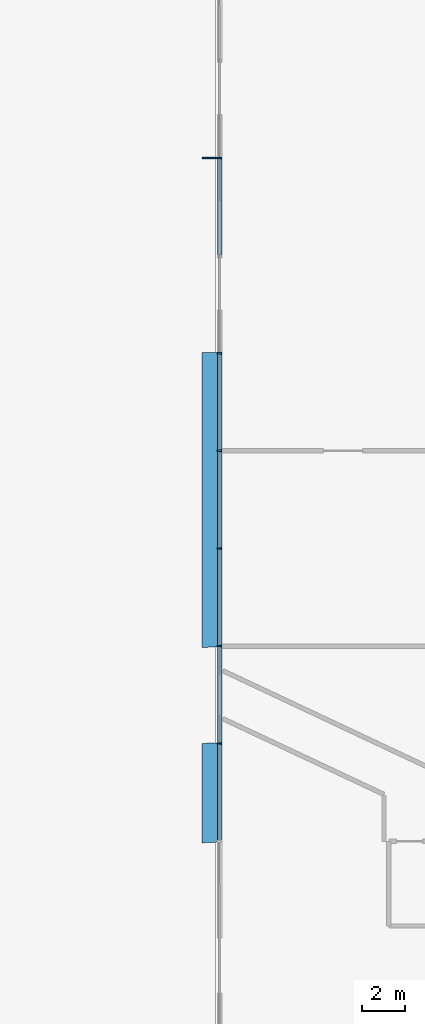
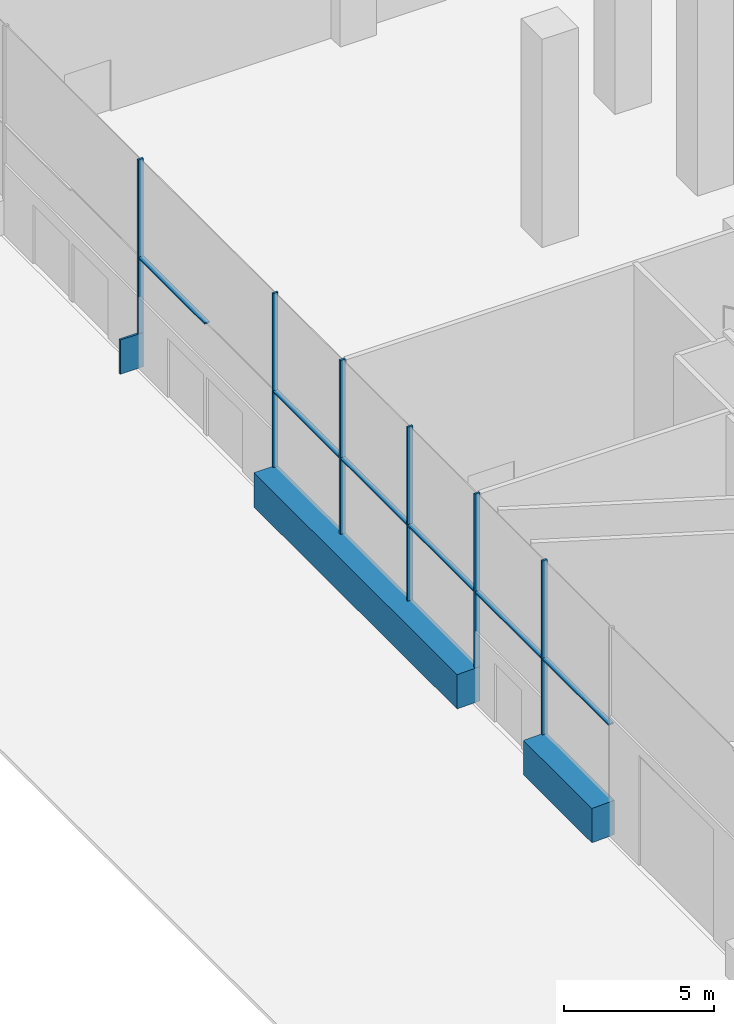
# One storey, part 4 of 54: 15 members, 1 element without a shape of its own.
"""IFC4 building model written with IfcOpenShell, lengths in metres."""

import ifcopenshell
import ifcopenshell.guid

model = None  # the IFC model being written
_history = None  # IfcOwnerHistory: only IFC2X3 demands one
_inside = {}  # id of a spatial element -> (the spatial element, [elements in it])
_under = {}  # id of a project, library or spatial element -> (it, [spatial elements below it])
_declared = {}  # id of a project -> (the project, [libraries it declares])
_typed = {}  # id of a type object -> (the type object, [elements of that type])
_made_of = {}  # id of a material, layer set ... -> (it, [elements and type objects made of it])


def new_model(schema):
    """Start an empty IFC model of exactly this schema.

    Asked for "IFC4X3", IfcOpenShell would pick the latest addendum, in which some entities
    have other attributes; the version numbers below select the first issue.
    IFC2X3 requires an IfcOwnerHistory on every rooted entity: one is made here for all.
    """
    global model, _history
    if schema == "IFC4X3":
        model = ifcopenshell.file(schema_version=(4, 3, 0, 0))
    else:
        model = ifcopenshell.file(schema=schema)
    _inside.clear()
    _under.clear()
    _declared.clear()
    _typed.clear()
    _made_of.clear()
    _history = None
    if model.schema == "IFC2X3":
        org = make("IfcOrganization", Name="unknown")
        user = make(
            "IfcPersonAndOrganization",
            ThePerson=make("IfcPerson", FamilyName="unknown"),
            TheOrganization=org,
        )
        app = make(
            "IfcApplication",
            ApplicationDeveloper=org,
            Version="unknown",
            ApplicationFullName="unknown",
            ApplicationIdentifier="unknown",
        )
        _history = make(
            "IfcOwnerHistory",
            OwningUser=user,
            OwningApplication=app,
            ChangeAction="ADDED",
            CreationDate=0,
        )
    return model


def make(cls, **values):
    """One entity of the class cls with the attributes given. An attribute that is None is left unset."""
    return model.create_entity(
        cls, **{name: value for name, value in values.items() if value is not None}
    )


def rooted(cls, **values):
    """An entity with a GlobalId (a new one), such as an element, a storey or a relation."""
    return make(cls, GlobalId=ifcopenshell.guid.new(), OwnerHistory=_history, **values)


def si_unit(unit_type, name, prefix=None):
    """IfcSIUnit, for example si_unit("LENGTHUNIT", "METRE", prefix="MILLI")."""
    return make("IfcSIUnit", UnitType=unit_type, Prefix=prefix, Name=name)


def assignment(units):
    """IfcUnitAssignment: the units of a project."""
    return None if units is None else make("IfcUnitAssignment", Units=units)


def point(xyz):
    """IfcCartesianPoint."""
    return None if xyz is None else make("IfcCartesianPoint", Coordinates=xyz)


def direction(xyz):
    """IfcDirection."""
    return None if xyz is None else make("IfcDirection", DirectionRatios=xyz)


def frame(location, z_axis=None, x_axis=None):
    """IfcAxis2Placement3D, a coordinate frame: its origin and axes. An axis left out is left unset."""
    return make(
        "IfcAxis2Placement3D",
        Location=point(location),
        Axis=direction(z_axis),
        RefDirection=direction(x_axis),
    )


def frame_2d(location, x_axis=None):
    """IfcAxis2Placement2D, a coordinate frame in the plane: its origin and x axis."""
    return make(
        "IfcAxis2Placement2D", Location=point(location), RefDirection=direction(x_axis)
    )


def origin():
    """The frame at (0, 0, 0) with its axes left unset."""
    return frame((0.0, 0.0, 0.0))


def origin_2d():
    """The frame at (0, 0) in the plane with its x axis left unset."""
    return frame_2d((0.0, 0.0))


def place(relative_to, where):
    """IfcLocalPlacement: puts the frame where relative to a parent placement (None: the world)."""
    return make(
        "IfcLocalPlacement", PlacementRelTo=relative_to, RelativePlacement=where
    )


def context(
    kind, dimensions, precision=None, world=None, true_north=None, identifier=None
):
    """IfcGeometricRepresentationContext, for example the 3D "Model" context."""
    return make(
        "IfcGeometricRepresentationContext",
        ContextIdentifier=identifier,
        ContextType=kind,
        CoordinateSpaceDimension=dimensions,
        Precision=precision,
        WorldCoordinateSystem=world,
        TrueNorth=true_north,
    )


def subcontext(parent, identifier, kind, view, scale=None):
    """IfcGeometricRepresentationSubContext, for example "Body" below "Model"."""
    return make(
        "IfcGeometricRepresentationSubContext",
        ContextIdentifier=identifier,
        ContextType=kind,
        ParentContext=parent,
        TargetScale=scale,
        TargetView=view,
    )


def project(units=None, contexts=None):
    """IfcProject with its units and contexts."""
    return rooted(
        "IfcProject",
        Name="project",
        RepresentationContexts=contexts,
        UnitsInContext=assignment(units),
    )


def spatial(cls, under=None, at=None, **own):
    """A site, building, storey or space (cls), placed at a placement, below another one or the project."""
    s = rooted(cls, ObjectPlacement=at, **own)
    if under is not None:
        _under.setdefault(under.id(), (under, []))[1].append(s)
    return s


def polyline(points):
    """IfcPolyline through the points."""
    return make("IfcPolyline", Points=[point(p) for p in points])


def profile(cls, at=None, kind="AREA", **sizes):
    """A parametric profile (cls). Its sizes go by their IFC names, for example OverallWidth=200.0."""
    return make(cls, ProfileType=kind, Position=at, **sizes)


def rectangle(**sizes):
    """IfcRectangleProfileDef."""
    return profile("IfcRectangleProfileDef", **sizes)


def outline(outer, holes=None, kind="AREA"):
    """IfcArbitraryClosedProfileDef: a profile drawn as a closed curve; with holes, ...WithVoids."""
    if holes is None:
        return make("IfcArbitraryClosedProfileDef", ProfileType=kind, OuterCurve=outer)
    return make(
        "IfcArbitraryProfileDefWithVoids",
        ProfileType=kind,
        OuterCurve=outer,
        InnerCurves=holes,
    )


def extrude(swept, where, along, depth):
    """IfcExtrudedAreaSolid: the profile swept, set in the frame where, extruded along a direction by depth."""
    return make(
        "IfcExtrudedAreaSolid",
        SweptArea=swept,
        Position=where,
        ExtrudedDirection=direction(along),
        Depth=depth,
    )


def shape(context_of_items, identifier, shape_type, items):
    """IfcShapeRepresentation: the items that make up one representation, for example the "Body"."""
    return make(
        "IfcShapeRepresentation",
        ContextOfItems=context_of_items,
        RepresentationIdentifier=identifier,
        RepresentationType=shape_type,
        Items=items,
    )


def material(Name=None, Category=None):
    """IfcMaterial."""
    return make("IfcMaterial", Name=Name, Category=Category)


def layer(
    of_material, thickness, ventilated=None, Name=None, Category=None, Priority=None
):
    """IfcMaterialLayer: one layer of a wall or slab, of a material (None: an air gap)."""
    return make(
        "IfcMaterialLayer",
        Material=of_material,
        LayerThickness=thickness,
        IsVentilated=ventilated,
        Name=Name,
        Category=Category,
        Priority=Priority,
    )


def layer_set(layers, Name=None):
    """IfcMaterialLayerSet."""
    return make("IfcMaterialLayerSet", MaterialLayers=layers, LayerSetName=Name)


def material_profile(
    of_material, cross_section, Name=None, Category=None, Priority=None
):
    """IfcMaterialProfile: a cross section and its material."""
    return make(
        "IfcMaterialProfile",
        Name=Name,
        Material=of_material,
        Profile=cross_section,
        Priority=Priority,
        Category=Category,
    )


def profile_set(profiles, Name=None, composite=None):
    """IfcMaterialProfileSet."""
    return make(
        "IfcMaterialProfileSet",
        Name=Name,
        MaterialProfiles=profiles,
        CompositeProfile=composite,
    )


def made_of(thing, what):
    """Note that an element or type object is made of a material, layer set ...; save() writes the relation."""
    if what is not None:
        _made_of.setdefault(what.id(), (what, []))[1].append(thing)
    return thing


def type_object(cls, material=None, **own):
    """A type object (cls), such as IfcWallType, which elements share."""
    return made_of(rooted(cls, **own), material)


def element(
    cls,
    number,
    at=None,
    inside=None,
    cuts=None,
    type_object=None,
    material=None,
    context=None,
    identifier="Body",
    shape_type=None,
    held_by="IfcProductDefinitionShape",
    body=None,
    shapes=None,
    **own,
):
    """One element of the class cls, such as IfcWall. Its Tag is "e" and its number.

    at: its placement. inside: the storey or other place that contains it. cuts: it is an
    opening in that element (IfcRelVoidsElement). A single representation is given by context,
    identifier, shape_type and body (its items); several are given by shapes. held_by: the class
    of the entity that holds the representations. save() writes the other relations.
    """
    e = rooted(cls, Tag="e%d" % number, ObjectPlacement=at, **own)
    if body is not None:
        shapes = [shape(context, identifier, shape_type, body)]
    if shapes is not None:
        e.Representation = make(held_by, Representations=shapes)
    if inside is not None:
        _inside.setdefault(inside.id(), (inside, []))[1].append(e)
    if cuts is not None:
        rooted(
            "IfcRelVoidsElement", RelatingBuildingElement=cuts, RelatedOpeningElement=e
        )
    if type_object is not None:
        _typed.setdefault(type_object.id(), (type_object, []))[1].append(e)
    return made_of(e, material)


def aggregate(whole, parts):
    """IfcRelAggregates: a whole, such as a stair, and the parts it consists of."""
    return rooted("IfcRelAggregates", RelatingObject=whole, RelatedObjects=parts)


def save(model, path):
    """Write the relations noted so far, then the file.

    IfcRelAggregates (storeys below a building ...), IfcRelContainedInSpatialStructure (elements
    in a storey), IfcRelDefinesByType, IfcRelAssociatesMaterial and IfcRelDeclares: one each for
    every whole, place, type object, material and project.
    """
    for whole, parts in _under.values():
        aggregate(whole, parts)
    for where, things in _inside.values():
        rooted(
            "IfcRelContainedInSpatialStructure",
            RelatedElements=things,
            RelatingStructure=where,
        )
    for kind, things in _typed.values():
        rooted("IfcRelDefinesByType", RelatedObjects=things, RelatingType=kind)
    for what, things in _made_of.values():
        rooted("IfcRelAssociatesMaterial", RelatedObjects=things, RelatingMaterial=what)
    for by, libraries in _declared.values():
        rooted("IfcRelDeclares", RelatingContext=by, RelatedDefinitions=libraries)
    model.write(path)


model = new_model("IFC4")

# Units and contexts
model_context = context("Model", 3, precision=1e-05, world=origin(), true_north=direction((0.0, 1.0)))
body_context = subcontext(model_context, "Body", "Model", "MODEL_VIEW")
ifc_project = project(units=[si_unit("LENGTHUNIT", "METRE"), si_unit("AREAUNIT", "SQUARE_METRE"), si_unit("VOLUMEUNIT", "CUBIC_METRE"), si_unit("PLANEANGLEUNIT", "RADIAN"), si_unit("MASSUNIT", "GRAM", prefix="KILO")], contexts=[model_context])

# Site, building, storey
site_placement = place(None, origin())
site = spatial("IfcSite", under=ifc_project, at=site_placement, CompositionType="ELEMENT")
building_placement = place(site_placement, origin())
building = spatial("IfcBuilding", under=site, at=building_placement, Name="Tamarind Cross Interchange Tower", CompositionType="ELEMENT")
storey_placement = place(building_placement, origin())
storey = spatial("IfcBuildingStorey", under=building, at=storey_placement, Name="L00", CompositionType="ELEMENT", Elevation=0.0)

# Curtain wall, members
ifc_material_1 = material(Name="Aluminium 6063-T6", Category="aluminium")
ifc_layer = layer(ifc_material_1, 0.199951171875)
ifc_layer_set = layer_set([ifc_layer], Name="Aluminium 6063-T6")
curtain_wall_type = type_object("IfcCurtainWallType", Name="Podium shopfront and station curtain wall", PredefinedType="NOTDEFINED", material=ifc_layer_set)
curtain_wall_placement = place(storey_placement, origin())
curtain_wall = element("IfcCurtainWall", 1, at=curtain_wall_placement, inside=storey, type_object=curtain_wall_type, Name="CWS-L00-04", PredefinedType="NOTDEFINED")
ifc_material_2 = material(Name="Aluminium and insulated spandrel panel", Category="aluminium")
member_type_1 = type_object("IfcMemberType", Name="Floor-edge blade transom", PredefinedType="USERDEFINED", material=ifc_material_2)
member_1_placement = place(storey_placement, origin())
member_1 = element("IfcMember", 2, at=member_1_placement, type_object=member_type_1, Name="CWT-L00-04-4", ObjectType="TRANSOM", PredefinedType="USERDEFINED", context=body_context, shape_type="SweptSolid", body=[
    extrude(outline(polyline([(-69.699951171875, 0.0400390625), (-69.699951171875, -0.0400390625), (-70.60009765625, -0.0400390625), (-70.60009765625, 0.0400390625), (-69.699951171875, 0.0400390625)])), origin(), (0.0, 0.0, 1.0), 1.39990234375),
])
member_2_placement = place(storey_placement, origin())
member_2 = element("IfcMember", 3, at=member_2_placement, type_object=member_type_1, Name="CWT-L00-04-5", ObjectType="TRANSOM", PredefinedType="USERDEFINED", context=body_context, shape_type="SweptSolid", body=[
    extrude(outline(polyline([(-69.699951171875, -8.9560546875), (-69.699951171875, -22.530029296875), (-70.60009765625, -22.559814453125), (-70.60009765625, -8.9677734375), (-69.699951171875, -8.9560546875)])), origin(), (0.0, 0.0, 1.0), 1.39990234375),
])
member_3_placement = place(storey_placement, origin())
member_3 = element("IfcMember", 4, at=member_3_placement, type_object=member_type_1, Name="CWT-L00-04-6", ObjectType="TRANSOM", PredefinedType="USERDEFINED", context=body_context, shape_type="SweptSolid", body=[
    extrude(outline(polyline([(-69.699951171875, -26.9482421875), (-69.699951171875, -31.526123046875), (-70.60009765625, -31.567626953125), (-70.60009765625, -26.983642578125), (-69.699951171875, -26.9482421875)])), origin(), (0.0, 0.0, 1.0), 1.39990234375),
])
ifc_material_profile = material_profile(ifc_material_1, rectangle(XDim=0.080078125, YDim=0.199951171875, at=origin_2d()), Name="Mullion CW3")
ifc_profile_set = profile_set([ifc_material_profile], Name="Aluminium 6063-T6")
member_type_2 = type_object("IfcMemberType", Name="Mullion CW3", PredefinedType="MULLION", material=ifc_profile_set)
member_4_placement = place(storey_placement, frame((-69.800048828125, 0.0, 1.39990234375), z_axis=(0.0, 0.0, 1.0), x_axis=(0.0, -1.0, 0.0)))
member_4 = element("IfcMember", 5, at=member_4_placement, type_object=member_type_2, Name="CWM-L00-04-12", PredefinedType="MULLION", context=body_context, shape_type="SweptSolid", body=[
    extrude(rectangle(XDim=0.080078125, YDim=0.199951171875, at=origin_2d()), origin(), (0.0, 0.0, 1.0), 7.10009765625),
])
member_5_placement = place(storey_placement, frame((-69.800048828125, -8.997314453125, 1.39990234375), z_axis=(0.0, 0.0, 1.0), x_axis=(0.0, -1.0, 0.0)))
member_5 = element("IfcMember", 6, at=member_5_placement, type_object=member_type_2, Name="CWM-L00-04-14", PredefinedType="MULLION", context=body_context, shape_type="SweptSolid", body=[
    extrude(rectangle(XDim=0.080078125, YDim=0.199951171875, at=origin_2d()), origin(), (0.0, 0.0, 1.0), 7.10009765625),
])
member_6_placement = place(storey_placement, frame((-69.800048828125, -13.49609375, 1.39990234375), z_axis=(0.0, 0.0, 1.0), x_axis=(0.0, -1.0, 0.0)))
member_6 = element("IfcMember", 7, at=member_6_placement, type_object=member_type_2, Name="CWM-L00-04-15", PredefinedType="MULLION", context=body_context, shape_type="SweptSolid", body=[
    extrude(rectangle(XDim=0.080078125, YDim=0.199951171875, at=origin_2d()), origin(), (0.0, 0.0, 1.0), 7.10009765625),
])
member_7_placement = place(storey_placement, frame((-69.800048828125, -17.994873046875, 1.39990234375), z_axis=(0.0, 0.0, 1.0), x_axis=(0.0, -1.0, 0.0)))
member_7 = element("IfcMember", 8, at=member_7_placement, type_object=member_type_2, Name="CWM-L00-04-16", PredefinedType="MULLION", context=body_context, shape_type="SweptSolid", body=[
    extrude(rectangle(XDim=0.080078125, YDim=0.199951171875, at=origin_2d()), origin(), (0.0, 0.0, 1.0), 7.10009765625),
])
member_8_placement = place(storey_placement, frame((-69.800048828125, -22.493408203125, 1.39990234375), z_axis=(0.0, 0.0, 1.0), x_axis=(0.0, -1.0, 0.0)))
member_8 = element("IfcMember", 9, at=member_8_placement, type_object=member_type_2, Name="CWM-L00-04-17", PredefinedType="MULLION", context=body_context, shape_type="SweptSolid", body=[
    extrude(rectangle(XDim=0.080078125, YDim=0.199951171875, at=origin_2d()), origin(), (0.0, 0.0, 1.0), 7.10009765625),
])
member_9_placement = place(storey_placement, frame((-69.800048828125, -26.9921875, 1.39990234375), z_axis=(0.0, 0.0, 1.0), x_axis=(0.0, -1.0, 0.0)))
member_9 = element("IfcMember", 10, at=member_9_placement, type_object=member_type_2, Name="CWM-L00-04-18", PredefinedType="MULLION", context=body_context, shape_type="SweptSolid", body=[
    extrude(rectangle(XDim=0.080078125, YDim=0.199951171875, at=origin_2d()), origin(), (0.0, 0.0, 1.0), 7.10009765625),
])
member_type_3 = type_object("IfcMemberType", Name="Podium intermediate transom", PredefinedType="USERDEFINED", material=ifc_material_1)
member_10_placement = place(storey_placement, frame((0.0, 0.0, 4.469970703125)))
member_10 = element("IfcMember", 11, at=member_10_placement, type_object=member_type_3, Name="CWT-L00-04-I0-12", ObjectType="TRANSOM", PredefinedType="USERDEFINED", context=body_context, shape_type="SweptSolid", body=[
    extrude(outline(polyline([(-69.699951171875, -0.0400390625), (-69.699951171875, -4.458740234375), (-69.89990234375, -4.458740234375), (-69.89990234375, -0.0400390625), (-69.699951171875, -0.0400390625)])), origin(), (0.0, 0.0, 1.0), 0.06005859375),
])
member_11_placement = place(storey_placement, frame((0.0, 0.0, 4.469970703125)))
member_11 = element("IfcMember", 12, at=member_11_placement, type_object=member_type_3, Name="CWT-L00-04-I0-14", ObjectType="TRANSOM", PredefinedType="USERDEFINED", context=body_context, shape_type="SweptSolid", body=[
    extrude(outline(polyline([(-69.699951171875, -9.037353515625), (-69.699951171875, -13.4560546875), (-69.89990234375, -13.4560546875), (-69.89990234375, -9.037353515625), (-69.699951171875, -9.037353515625)])), origin(), (0.0, 0.0, 1.0), 0.06005859375),
])
member_12_placement = place(storey_placement, frame((0.0, 0.0, 4.469970703125)))
member_12 = element("IfcMember", 13, at=member_12_placement, type_object=member_type_3, Name="CWT-L00-04-I0-15", ObjectType="TRANSOM", PredefinedType="USERDEFINED", context=body_context, shape_type="SweptSolid", body=[
    extrude(outline(polyline([(-69.699951171875, -13.5361328125), (-69.699951171875, -17.954833984375), (-69.89990234375, -17.954833984375), (-69.89990234375, -13.5361328125), (-69.699951171875, -13.5361328125)])), origin(), (0.0, 0.0, 1.0), 0.06005859375),
])
member_13_placement = place(storey_placement, frame((0.0, 0.0, 4.469970703125)))
member_13 = element("IfcMember", 14, at=member_13_placement, type_object=member_type_3, Name="CWT-L00-04-I0-16", ObjectType="TRANSOM", PredefinedType="USERDEFINED", context=body_context, shape_type="SweptSolid", body=[
    extrude(outline(polyline([(-69.699951171875, -18.03466796875), (-69.699951171875, -22.453369140625), (-69.89990234375, -22.453369140625), (-69.89990234375, -18.03466796875), (-69.699951171875, -18.03466796875)])), origin(), (0.0, 0.0, 1.0), 0.06005859375),
])
member_14_placement = place(storey_placement, frame((0.0, 0.0, 4.469970703125)))
member_14 = element("IfcMember", 15, at=member_14_placement, type_object=member_type_3, Name="CWT-L00-04-I0-17", ObjectType="TRANSOM", PredefinedType="USERDEFINED", context=body_context, shape_type="SweptSolid", body=[
    extrude(outline(polyline([(-69.699951171875, -22.533447265625), (-69.699951171875, -26.9521484375), (-69.89990234375, -26.9521484375), (-69.89990234375, -22.533447265625), (-69.699951171875, -22.533447265625)])), origin(), (0.0, 0.0, 1.0), 0.06005859375),
])
member_15_placement = place(storey_placement, frame((0.0, 0.0, 4.469970703125)))
member_15 = element("IfcMember", 16, at=member_15_placement, type_object=member_type_3, Name="CWT-L00-04-I0-18", ObjectType="TRANSOM", PredefinedType="USERDEFINED", context=body_context, shape_type="SweptSolid", body=[
    extrude(outline(polyline([(-69.699951171875, -27.0322265625), (-69.699951171875, -31.450927734375), (-69.89990234375, -31.450927734375), (-69.89990234375, -27.0322265625), (-69.699951171875, -27.0322265625)])), origin(), (0.0, 0.0, 1.0), 0.06005859375),
])
aggregate(curtain_wall, [member_4, member_5, member_6, member_7, member_8, member_9, member_10, member_11, member_12, member_13, member_14, member_15, member_1, member_2, member_3])

save(model, "model.ifc")
